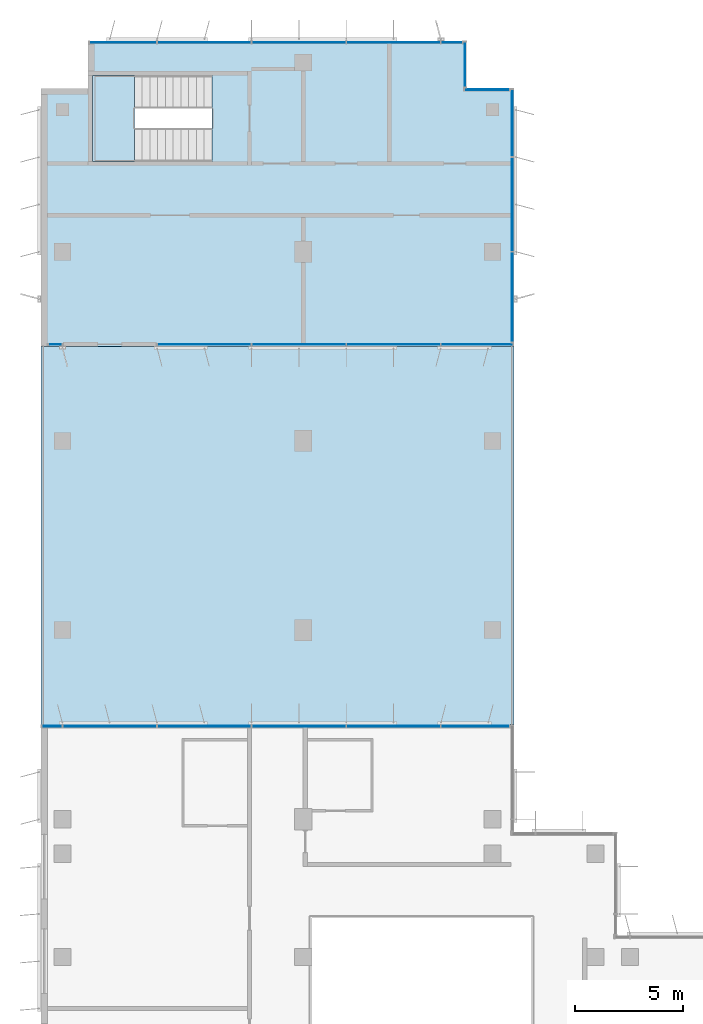
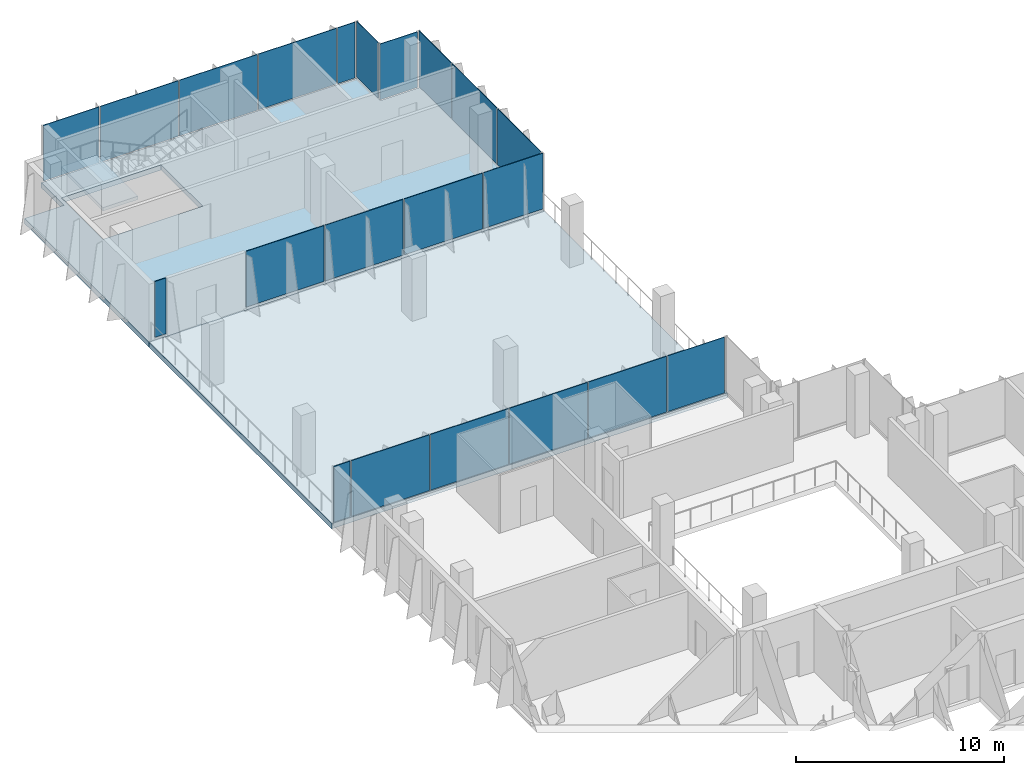
# One storey, part 8 of 15: 21 plates, 3 slabs, 8 elements without a shape of their own.
"""IFC4 building model written with IfcOpenShell, lengths in metres."""

from ifc_helpers import new_model, si_unit, direction, frame, origin, origin_2d, place, context, subcontext, project, spatial, polyline, rectangle, outline, extrude, source, transform, mapped, material, layer, layer_set, type_object, element, aggregate, save


model = new_model("IFC4")

# Units and contexts
model_context = context("Model", 3, precision=1e-05, world=origin(), true_north=direction((0.0, 1.0)))
body_context = subcontext(model_context, "Body", "Model", "MODEL_VIEW")
ifc_project = project(units=[si_unit("LENGTHUNIT", "METRE"), si_unit("AREAUNIT", "SQUARE_METRE"), si_unit("VOLUMEUNIT", "CUBIC_METRE"), si_unit("PLANEANGLEUNIT", "RADIAN"), si_unit("MASSUNIT", "GRAM", prefix="KILO")], contexts=[model_context])

# Site, building, storey
site_placement = place(None, origin())
site = spatial("IfcSite", under=ifc_project, at=site_placement, CompositionType="ELEMENT")
building_placement = place(site_placement, origin())
building = spatial("IfcBuilding", under=site, at=building_placement, Name="Kemantara Hotel Tower", CompositionType="ELEMENT")
storey_placement = place(building_placement, frame((0.0, 0.0, 241.300048828125)))
storey = spatial("IfcBuildingStorey", under=building, at=storey_placement, Name="L60", CompositionType="ELEMENT", Elevation=241.300048828125)

# Slab
ifc_material_1 = material(Name="Concrete fc 40 MPa", Category="concrete")
ifc_layer_1 = layer(ifc_material_1, 0.300048828125)
ifc_layer_set_1 = layer_set([ifc_layer_1], Name="Concrete fc 40 MPa")
slab_type_1 = type_object("IfcSlabType", Name="POST-TENSIONED FLAT PLATE 300", PredefinedType="FLOOR", material=ifc_layer_set_1)
slab_1_placement = place(storey_placement, frame((0.0, 0.0, -0.300048828125)))
element("IfcSlab", 1, at=slab_1_placement, inside=storey, type_object=slab_type_1, Name="FLOOR SLAB L60", PredefinedType="FLOOR", context=body_context, shape_type="SweptSolid", body=[
    extrude(outline(polyline([(2.199951171875, 61.39990234375), (0.0, 61.39990234375), (0.0, 49.39990234375), (22.0, 49.39990234375), (22.0, 61.39990234375), (19.800048828125, 61.39990234375), (19.800048828125, 63.60009765625), (2.199951171875, 63.60009765625), (2.199951171875, 61.39990234375)]), holes=[polyline([(2.39990234375, 58.0), (2.39990234375, 62.0), (7.949462890625, 62.0), (7.949462890625, 58.0), (2.39990234375, 58.0)])]), origin(), (0.0, 0.0, 1.0), 0.300048828125),
])

# Stair, slab
stair_type = type_object("IfcStairType", Name="Stair 1550 wide 22 risers of 168 x 360 mm", PredefinedType="HALF_TURN_STAIR", material=ifc_material_1)
stair_placement = place(storey_placement, origin())
stair = element("IfcStair", 2, at=stair_placement, inside=storey, type_object=stair_type, Name="L60 Exit stair ST4", PredefinedType="HALF_TURN_STAIR")
ifc_layer_2 = layer(ifc_material_1, 0.199951171875)
ifc_layer_set_2 = layer_set([ifc_layer_2], Name="Concrete fc 40 MPa")
slab_type_2 = type_object("IfcSlabType", Name="Stair landing 200 mm", PredefinedType="LANDING", material=ifc_layer_set_2)
slab_2_placement = place(storey_placement, frame((0.0, 0.0, 1.64990234375)))
slab_2 = element("IfcSlab", 3, at=slab_2_placement, type_object=slab_type_2, Name="ST4 landing 1", PredefinedType="LANDING", context=body_context, shape_type="SweptSolid", body=[
    extrude(outline(polyline([(4.35009765625, 62.0), (2.39990234375, 62.0), (2.39990234375, 58.0), (4.35009765625, 58.0), (4.35009765625, 62.0)])), origin(), (0.0, 0.0, 1.0), 0.199951171875),
])
aggregate(stair, [slab_2])

# Slab
ifc_layer_3 = layer(ifc_material_1, 0.300048828125)
ifc_layer_set_3 = layer_set([ifc_layer_3], Name="Concrete fc 40 MPa")
slab_type_3 = type_object("IfcSlabType", Name="WIND PORTAL ROOF DECK 300", PredefinedType="ROOF", material=ifc_layer_set_3)
slab_3_placement = place(storey_placement, frame((0.0, 0.0, -0.300048828125)))
element("IfcSlab", 4, at=slab_3_placement, inside=storey, type_object=slab_type_3, Name="WIND PORTAL FLOOR SLAB (ROOF OF L59)", PredefinedType="ROOF", context=body_context, shape_type="SweptSolid", body=[
    extrude(outline(polyline([(0.0, 31.800048828125), (22.0, 31.800048828125), (22.0, 49.39990234375), (0.0, 49.39990234375), (0.0, 31.800048828125)])), origin(), (0.0, 0.0, 1.0), 0.300048828125),
])

# Curtain wall, plates
ifc_material_2 = material(Name="Low-E tinted double insulated glass 36 mm", Category="glass")
curtain_wall_type_1 = type_object("IfcCurtainWallType", Name="TOWER CURTAIN WALL, FRONT FACES", PredefinedType="USERDEFINED", material=ifc_material_2)
curtain_wall_1_placement = place(storey_placement, origin())
curtain_wall_1 = element("IfcCurtainWall", 5, at=curtain_wall_1_placement, inside=storey, type_object=curtain_wall_type_1, Name="CW4 L60 T4P-R01-1", ObjectType="TOWER CURTAIN WALL, FRONT FACES", PredefinedType="USERDEFINED")
ifc_layer_4 = layer(ifc_material_2, 0.035888671875)
ifc_layer_set_4 = layer_set([ifc_layer_4], Name="Low-E tinted double insulated glass 36 mm")
plate_type_1 = type_object("IfcPlateType", Name="TOWER CURTAIN WALL, FRONT FACES PANEL", PredefinedType="CURTAIN_PANEL", material=ifc_layer_set_4)
shared_shape_1 = source(origin(), body_context, "Body", "SweptSolid", [
    extrude(rectangle(XDim=4.340087890625, YDim=0.035888671875, at=origin_2d()), origin(), (0.0, 0.0, 1.0), 3.280029296875),
])
plate_1_placement = place(storey_placement, frame((16.39990234375, 31.72509765625, 0.1201171875), z_axis=(0.0, 0.0, 1.0), x_axis=(-1.0, 0.0, 0.0)))
plate_1 = element("IfcPlate", 6, at=plate_1_placement, type_object=plate_type_1, Name="CW4 glass panel T4P-R01-1.2", PredefinedType="CURTAIN_PANEL", context=body_context, shape_type="MappedRepresentation", body=[
    mapped(shared_shape_1, transform((0.0, 0.0, 0.0))),
])
plate_2_placement = place(storey_placement, frame((12.0, 31.72509765625, 0.1201171875), z_axis=(0.0, 0.0, 1.0), x_axis=(-1.0, 0.0, 0.0)))
plate_2 = element("IfcPlate", 7, at=plate_2_placement, type_object=plate_type_1, Name="CW4 glass panel T4P-R01-1.3", PredefinedType="CURTAIN_PANEL", context=body_context, shape_type="MappedRepresentation", body=[
    mapped(shared_shape_1, transform((0.0, 0.0, 0.0))),
])
plate_3_placement = place(storey_placement, frame((7.60009765625, 31.72509765625, 0.1201171875), z_axis=(0.0, 0.0, 1.0), x_axis=(-1.0, 0.0, 0.0)))
plate_3 = element("IfcPlate", 8, at=plate_3_placement, type_object=plate_type_1, Name="CW4 glass panel T4P-R01-1.4", PredefinedType="CURTAIN_PANEL", context=body_context, shape_type="MappedRepresentation", body=[
    mapped(shared_shape_1, transform((0.0, 0.0, 0.0))),
])
plate_4_placement = place(storey_placement, frame((3.199951171875, 31.72509765625, 0.1201171875), z_axis=(0.0, 0.0, 1.0), x_axis=(-1.0, 0.0, 0.0)))
plate_4 = element("IfcPlate", 9, at=plate_4_placement, type_object=plate_type_1, Name="CW4 glass panel T4P-R01-1.5", PredefinedType="CURTAIN_PANEL", context=body_context, shape_type="MappedRepresentation", body=[
    mapped(shared_shape_1, transform((0.0, 0.0, 0.0))),
])

# Curtain wall, plate
curtain_wall_2_placement = place(storey_placement, origin())
curtain_wall_2 = element("IfcCurtainWall", 10, at=curtain_wall_2_placement, inside=storey, type_object=curtain_wall_type_1, Name="CW4 L60 T4P-R13-1", ObjectType="TOWER CURTAIN WALL, FRONT FACES", PredefinedType="USERDEFINED")
plate_5_placement = place(storey_placement, frame((21.925048828125, 56.0, 0.1201171875), z_axis=(0.0, 0.0, 1.0), x_axis=(0.0, 1.0, 0.0)))
plate_5 = element("IfcPlate", 11, at=plate_5_placement, type_object=plate_type_1, Name="CW4 glass panel T4P-R13-1.2", PredefinedType="CURTAIN_PANEL", context=body_context, shape_type="MappedRepresentation", body=[
    mapped(shared_shape_1, transform((0.0, 0.0, 0.0))),
])

# Curtain wall, plates
curtain_wall_3_placement = place(storey_placement, origin())
curtain_wall_3 = element("IfcCurtainWall", 12, at=curtain_wall_3_placement, inside=storey, type_object=curtain_wall_type_1, Name="CW4 L60 T4P-R16-1", ObjectType="TOWER CURTAIN WALL, FRONT FACES", PredefinedType="USERDEFINED")
plate_6_placement = place(storey_placement, frame((16.39990234375, 63.52490234375, 0.1201171875), z_axis=(0.0, 0.0, 1.0), x_axis=(-1.0, 0.0, 0.0)))
plate_6 = element("IfcPlate", 13, at=plate_6_placement, type_object=plate_type_1, Name="CW4 glass panel T4P-R16-1.2", PredefinedType="CURTAIN_PANEL", context=body_context, shape_type="MappedRepresentation", body=[
    mapped(shared_shape_1, transform((0.0, 0.0, 0.0))),
])
plate_7_placement = place(storey_placement, frame((12.0, 63.52490234375, 0.1201171875), z_axis=(0.0, 0.0, 1.0), x_axis=(-1.0, 0.0, 0.0)))
plate_7 = element("IfcPlate", 14, at=plate_7_placement, type_object=plate_type_1, Name="CW4 glass panel T4P-R16-1.3", PredefinedType="CURTAIN_PANEL", context=body_context, shape_type="MappedRepresentation", body=[
    mapped(shared_shape_1, transform((0.0, 0.0, 0.0))),
])
plate_8_placement = place(storey_placement, frame((7.60009765625, 63.52490234375, 0.1201171875), z_axis=(0.0, 0.0, 1.0), x_axis=(-1.0, 0.0, 0.0)))
plate_8 = element("IfcPlate", 15, at=plate_8_placement, type_object=plate_type_1, Name="CW4 glass panel T4P-R16-1.4", PredefinedType="CURTAIN_PANEL", context=body_context, shape_type="MappedRepresentation", body=[
    mapped(shared_shape_1, transform((0.0, 0.0, 0.0))),
])

ifc_material_3 = material(Name="Toughened tinted glass 32 mm", Category="glass")
curtain_wall_type_2 = type_object("IfcCurtainWallType", Name="TERRACE GLAZING WALL", PredefinedType="USERDEFINED", material=ifc_material_3)
curtain_wall_4_placement = place(storey_placement, origin())
curtain_wall_4 = element("IfcCurtainWall", 16, at=curtain_wall_4_placement, inside=storey, type_object=curtain_wall_type_2, Name="CW6 L60 T4P-R12-2", ObjectType="TERRACE GLAZING WALL", PredefinedType="USERDEFINED")
ifc_layer_5 = layer(ifc_material_3, 0.031982421875)
ifc_layer_set_5 = layer_set([ifc_layer_5], Name="Toughened tinted glass 32 mm")
plate_type_2 = type_object("IfcPlateType", Name="TERRACE GLAZING WALL PANEL", PredefinedType="CURTAIN_PANEL", material=ifc_layer_set_5)
shared_shape_2 = source(origin(), body_context, "Body", "SweptSolid", [
    extrude(rectangle(XDim=4.340087890625, YDim=0.031982421875, at=origin_2d()), origin(), (0.0, 0.0, 1.0), 3.280029296875),
])
plate_9_placement = place(storey_placement, frame((7.60009765625, 49.47509765625, 0.1201171875), z_axis=(0.0, 0.0, 1.0), x_axis=(1.0, 0.0, 0.0)))
plate_9 = element("IfcPlate", 17, at=plate_9_placement, type_object=plate_type_2, Name="CW6 glass panel T4P-R12-2.1", PredefinedType="CURTAIN_PANEL", context=body_context, shape_type="MappedRepresentation", body=[
    mapped(shared_shape_2, transform((0.0, 0.0, 0.0))),
])
plate_10_placement = place(storey_placement, frame((12.0, 49.47509765625, 0.1201171875), z_axis=(0.0, 0.0, 1.0), x_axis=(1.0, 0.0, 0.0)))
plate_10 = element("IfcPlate", 18, at=plate_10_placement, type_object=plate_type_2, Name="CW6 glass panel T4P-R12-2.2", PredefinedType="CURTAIN_PANEL", context=body_context, shape_type="MappedRepresentation", body=[
    mapped(shared_shape_2, transform((0.0, 0.0, 0.0))),
])
plate_11_placement = place(storey_placement, frame((16.39990234375, 49.47509765625, 0.1201171875), z_axis=(0.0, 0.0, 1.0), x_axis=(1.0, 0.0, 0.0)))
plate_11 = element("IfcPlate", 19, at=plate_11_placement, type_object=plate_type_2, Name="CW6 glass panel T4P-R12-2.3", PredefinedType="CURTAIN_PANEL", context=body_context, shape_type="MappedRepresentation", body=[
    mapped(shared_shape_2, transform((0.0, 0.0, 0.0))),
])

# Plate
shared_shape_3 = source(origin(), body_context, "Body", "SweptSolid", [
    extrude(rectangle(XDim=3.110107421875, YDim=0.035888671875, at=origin_2d()), origin(), (0.0, 0.0, 1.0), 3.280029296875),
])
plate_12_placement = place(storey_placement, frame((21.925048828125, 59.784912109375, 0.1201171875), z_axis=(0.0, 0.0, 1.0), x_axis=(0.0, 1.0, 0.0)))
plate_12 = element("IfcPlate", 20, at=plate_12_placement, type_object=plate_type_1, Name="CW4 glass panel T4P-R13-1.3", PredefinedType="CURTAIN_PANEL", context=body_context, shape_type="MappedRepresentation", body=[
    mapped(shared_shape_3, transform((0.0, 0.0, 0.0))),
])

plate_13_placement = place(storey_placement, frame((3.81494140625, 63.52490234375, 0.1201171875), z_axis=(0.0, 0.0, 1.0), x_axis=(-1.0, 0.0, 0.0)))
plate_13 = element("IfcPlate", 21, at=plate_13_placement, type_object=plate_type_1, Name="CW4 glass panel T4P-R16-1.5", PredefinedType="CURTAIN_PANEL", context=body_context, shape_type="MappedRepresentation", body=[
    mapped(shared_shape_3, transform((0.0, 0.0, 0.0))),
])

# Curtain wall, plate
curtain_wall_5_placement = place(storey_placement, origin())
curtain_wall_5 = element("IfcCurtainWall", 22, at=curtain_wall_5_placement, inside=storey, type_object=curtain_wall_type_1, Name="CW4 L60 T4P-R14-1", ObjectType="TOWER CURTAIN WALL, FRONT FACES", PredefinedType="USERDEFINED")
shared_shape_4 = source(origin(), body_context, "Body", "SweptSolid", [
    extrude(rectangle(XDim=2.080078125, YDim=0.035888671875, at=origin_2d()), origin(), (0.0, 0.0, 1.0), 3.280029296875),
])
plate_14_placement = place(storey_placement, frame((20.75, 61.324951171875, 0.1201171875), z_axis=(0.0, 0.0, 1.0), x_axis=(-1.0, 0.0, 0.0)))
plate_14 = element("IfcPlate", 23, at=plate_14_placement, type_object=plate_type_1, Name="CW4 glass panel T4P-R14-1.1", PredefinedType="CURTAIN_PANEL", context=body_context, shape_type="MappedRepresentation", body=[
    mapped(shared_shape_4, transform((0.0, 0.0, 0.0))),
])
aggregate(curtain_wall_5, [plate_14])

curtain_wall_6_placement = place(storey_placement, origin())
curtain_wall_6 = element("IfcCurtainWall", 24, at=curtain_wall_6_placement, inside=storey, type_object=curtain_wall_type_1, Name="CW4 L60 T4P-R15-1", ObjectType="TOWER CURTAIN WALL, FRONT FACES", PredefinedType="USERDEFINED")
plate_15_placement = place(storey_placement, frame((19.72509765625, 62.5, 0.1201171875), z_axis=(0.0, 0.0, 1.0), x_axis=(0.0, 1.0, 0.0)))
plate_15 = element("IfcPlate", 25, at=plate_15_placement, type_object=plate_type_1, Name="CW4 glass panel T4P-R15-1.1", PredefinedType="CURTAIN_PANEL", context=body_context, shape_type="MappedRepresentation", body=[
    mapped(shared_shape_4, transform((0.0, 0.0, 0.0))),
])
aggregate(curtain_wall_6, [plate_15])

# Plate
shared_shape_5 = source(origin(), body_context, "Body", "SweptSolid", [
    extrude(rectangle(XDim=0.909912109375, YDim=0.035888671875, at=origin_2d()), origin(), (0.0, 0.0, 1.0), 3.280029296875),
])
plate_16_placement = place(storey_placement, frame((0.514892578125, 31.72509765625, 0.1201171875), z_axis=(0.0, 0.0, 1.0), x_axis=(-1.0, 0.0, 0.0)))
plate_16 = element("IfcPlate", 26, at=plate_16_placement, type_object=plate_type_1, Name="CW4 glass panel T4P-R01-1.6", PredefinedType="CURTAIN_PANEL", context=body_context, shape_type="MappedRepresentation", body=[
    mapped(shared_shape_5, transform((0.0, 0.0, 0.0))),
])

shared_shape_6 = source(origin(), body_context, "Body", "SweptSolid", [
    extrude(rectangle(XDim=0.9599609375, YDim=0.035888671875, at=origin_2d()), origin(), (0.0, 0.0, 1.0), 3.280029296875),
])
plate_17_placement = place(storey_placement, frame((19.110107421875, 63.52490234375, 0.1201171875), z_axis=(0.0, 0.0, 1.0), x_axis=(-1.0, 0.0, 0.0)))
plate_17 = element("IfcPlate", 27, at=plate_17_placement, type_object=plate_type_1, Name="CW4 glass panel T4P-R16-1.1", PredefinedType="CURTAIN_PANEL", context=body_context, shape_type="MappedRepresentation", body=[
    mapped(shared_shape_6, transform((0.0, 0.0, 0.0))),
])

aggregate(curtain_wall_3, [plate_17, plate_6, plate_7, plate_8, plate_13])

# Curtain wall, plate
curtain_wall_7_placement = place(storey_placement, origin())
curtain_wall_7 = element("IfcCurtainWall", 28, at=curtain_wall_7_placement, inside=storey, type_object=curtain_wall_type_2, Name="CW6 L60 T4P-R12-1", ObjectType="TERRACE GLAZING WALL", PredefinedType="USERDEFINED")
shared_shape_7 = source(origin(), body_context, "Body", "SweptSolid", [
    extrude(rectangle(XDim=0.610107421875, YDim=0.031982421875, at=origin_2d()), origin(), (0.0, 0.0, 1.0), 3.280029296875),
])
plate_18_placement = place(storey_placement, frame((0.6650390625, 49.47509765625, 0.1201171875), z_axis=(0.0, 0.0, 1.0), x_axis=(1.0, 0.0, 0.0)))
plate_18 = element("IfcPlate", 29, at=plate_18_placement, type_object=plate_type_2, Name="CW6 glass panel T4P-R12-1.1", PredefinedType="CURTAIN_PANEL", context=body_context, shape_type="MappedRepresentation", body=[
    mapped(shared_shape_7, transform((0.0, 0.0, 0.0))),
])
aggregate(curtain_wall_7, [plate_18])

# Plate
shared_shape_8 = source(origin(), body_context, "Body", "SweptSolid", [
    extrude(rectangle(XDim=3.159912109375, YDim=0.035888671875, at=origin_2d()), origin(), (0.0, 0.0, 1.0), 3.280029296875),
])
plate_19_placement = place(storey_placement, frame((20.2099609375, 31.72509765625, 0.1201171875), z_axis=(0.0, 0.0, 1.0), x_axis=(-1.0, 0.0, 0.0)))
plate_19 = element("IfcPlate", 30, at=plate_19_placement, type_object=plate_type_1, Name="CW4 glass panel T4P-R01-1.1", PredefinedType="CURTAIN_PANEL", context=body_context, shape_type="MappedRepresentation", body=[
    mapped(shared_shape_8, transform((0.0, 0.0, 0.0))),
])

aggregate(curtain_wall_1, [plate_19, plate_1, plate_2, plate_3, plate_4, plate_16])

shared_shape_9 = source(origin(), body_context, "Body", "SweptSolid", [
    extrude(rectangle(XDim=3.31005859375, YDim=0.031982421875, at=origin_2d()), origin(), (0.0, 0.0, 1.0), 3.280029296875),
])
plate_20_placement = place(storey_placement, frame((20.284912109375, 49.47509765625, 0.1201171875), z_axis=(0.0, 0.0, 1.0), x_axis=(1.0, 0.0, 0.0)))
plate_20 = element("IfcPlate", 31, at=plate_20_placement, type_object=plate_type_2, Name="CW6 glass panel T4P-R12-2.4", PredefinedType="CURTAIN_PANEL", context=body_context, shape_type="MappedRepresentation", body=[
    mapped(shared_shape_9, transform((0.0, 0.0, 0.0))),
])

aggregate(curtain_wall_4, [plate_9, plate_10, plate_11, plate_20])

shared_shape_10 = source(origin(), body_context, "Body", "SweptSolid", [
    extrude(rectangle(XDim=4.159912109375, YDim=0.035888671875, at=origin_2d()), origin(), (0.0, 0.0, 1.0), 3.280029296875),
])
plate_21_placement = place(storey_placement, frame((21.925048828125, 51.68994140625, 0.1201171875), z_axis=(0.0, 0.0, 1.0), x_axis=(0.0, 1.0, 0.0)))
plate_21 = element("IfcPlate", 32, at=plate_21_placement, type_object=plate_type_1, Name="CW4 glass panel T4P-R13-1.1", PredefinedType="CURTAIN_PANEL", context=body_context, shape_type="MappedRepresentation", body=[
    mapped(shared_shape_10, transform((0.0, 0.0, 0.0))),
])

aggregate(curtain_wall_2, [plate_21, plate_5, plate_12])

save(model, "model.ifc")
